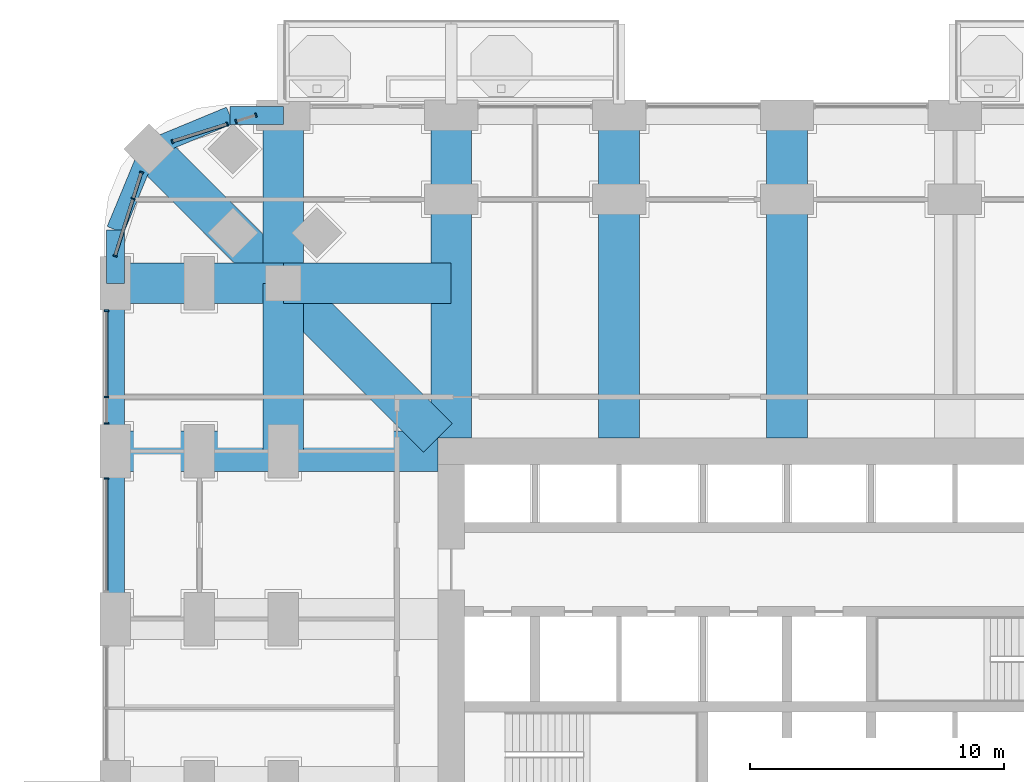
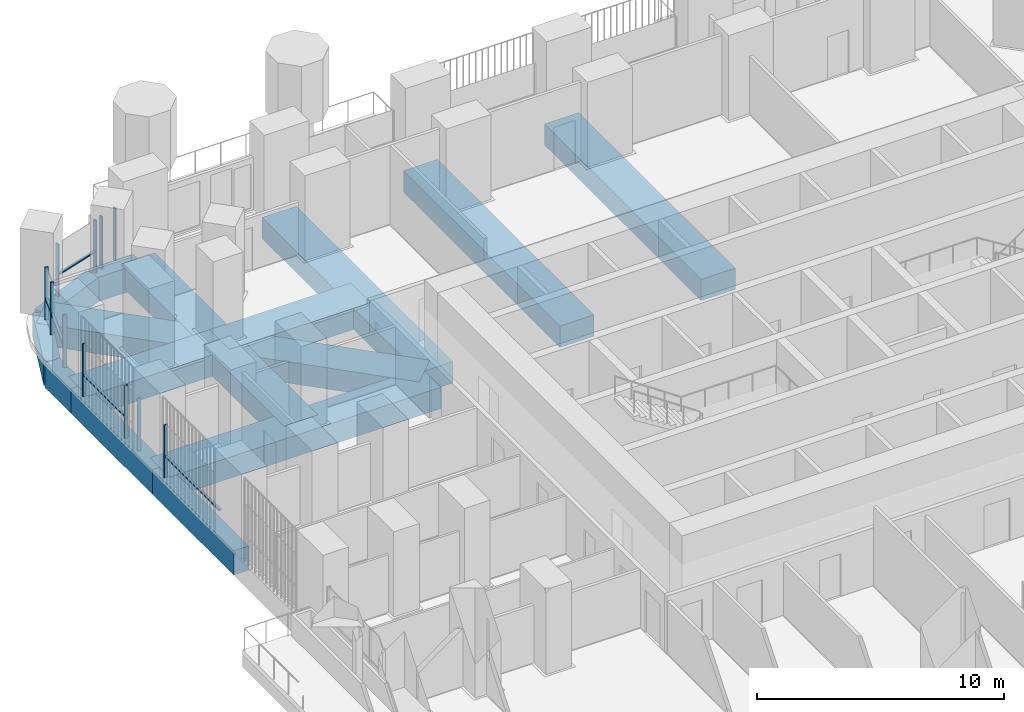
# One storey, part 7 of 27: 16 beams, 16 members, 5 elements without a shape of their own.
"""IFC4 building model written with IfcOpenShell, lengths in metres."""

from ifc_helpers import new_model, si_unit, direction, frame, origin, origin_2d, place, context, subcontext, project, spatial, rectangle, extrude, material, material_profile, profile_set, type_object, element, aggregate, save


model = new_model("IFC4")

# Units and contexts
model_context = context("Model", 3, precision=1e-05, world=origin(), true_north=direction((0.0, 1.0)))
body_context = subcontext(model_context, "Body", "Model", "MODEL_VIEW")
ifc_project = project(units=[si_unit("LENGTHUNIT", "METRE"), si_unit("AREAUNIT", "SQUARE_METRE"), si_unit("VOLUMEUNIT", "CUBIC_METRE"), si_unit("PLANEANGLEUNIT", "RADIAN"), si_unit("MASSUNIT", "GRAM", prefix="KILO")], contexts=[model_context])

# Site, building, storey
site_placement = place(None, origin())
site = spatial("IfcSite", under=ifc_project, at=site_placement, CompositionType="ELEMENT")
building_placement = place(site_placement, origin())
building = spatial("IfcBuilding", under=site, at=building_placement, Name="Cobogo Forest Laboratory Tower", CompositionType="ELEMENT")
storey_placement = place(building_placement, frame((0.0, 0.0, 63.300048828125)))
storey = spatial("IfcBuildingStorey", under=building, at=storey_placement, Name="L14", CompositionType="ELEMENT", Elevation=63.300048828125)

# Beams
ifc_material_1 = material(Name="Concrete HA-50 (C50/60)", Category="concrete")
ifc_material_profile_1 = material_profile(ifc_material_1, rectangle(XDim=1.60009765625, YDim=1.050048828125, at=origin_2d()), Name="RC 1600x1050")
ifc_profile_set_1 = profile_set([ifc_material_profile_1], Name="Concrete HA-50 (C50/60)")
beam_type_1 = type_object("IfcBeamType", Name="Laboratory floor wide beam 1600x1050", PredefinedType="BEAM", material=ifc_profile_set_1)
for number, where, z_axis, x_axis, name in (
    (1, (13.199951171875, 33.52490234375, -0.824951171875), (0.0, 1.0, 0.0), (-1.0, 0.0, 0.0), "RB8 R-3-N L14"),
    (2, (19.800048828125, 33.52490234375, -0.824951171875), (0.0, 1.0, 0.0), (-1.0, 0.0, 0.0), "RB8 R-4-N L14"),
    (3, (26.39990234375, 33.52490234375, -0.824951171875), (0.0, 1.0, 0.0), (-1.0, 0.0, 0.0), "RB8 R-5-N L14"),
    (4, (12.675048828125, 33.0, -0.824951171875), (-1.0, 0.0, 0.0), (0.0, -1.0, 0.0), "RB8 R-F-W L14"),
):
    element("IfcBeam", number, at=place(storey_placement, frame(where, z_axis=z_axis, x_axis=x_axis)), inside=storey, type_object=beam_type_1, Name=name, PredefinedType="BEAM", context=body_context, shape_type="SweptSolid", body=[
        extrude(rectangle(XDim=1.60009765625, YDim=1.050048828125, at=origin_2d()), origin(), (0.0, 0.0, 1.0), 12.675048828125),
    ])
beam_1_placement = place(storey_placement, frame((6.60009765625, 46.199951171875, -0.824951171875), z_axis=(0.0, -1.0, 0.0), x_axis=(1.0, 0.0, 0.0)))
element("IfcBeam", 5, at=beam_1_placement, inside=storey, type_object=beam_type_1, Name="RB8 G-NW-XF L14", PredefinedType="BEAM", context=body_context, shape_type="SweptSolid", body=[
    extrude(rectangle(XDim=1.60009765625, YDim=1.050048828125, at=origin_2d()), origin(), (0.0, 0.0, 1.0), 6.599853515625),
])
for number, where, z_axis, x_axis, name in (
    (6, (6.60009765625, 39.60009765625, -0.824951171875), (0.0, -1.0, 0.0), (1.0, 0.0, 0.0), "RB8 G-NW-XC L14"),
    (7, (0.0, 39.60009765625, -0.824951171875), (1.0, 0.0, 0.0), (0.0, 1.0, 0.0), "RB8 G-NW-YF L14"),
):
    element("IfcBeam", number, at=place(storey_placement, frame(where, z_axis=z_axis, x_axis=x_axis)), inside=storey, type_object=beam_type_1, Name=name, PredefinedType="BEAM", context=body_context, shape_type="SweptSolid", body=[
        extrude(rectangle(XDim=1.60009765625, YDim=1.050048828125, at=origin_2d()), origin(), (0.0, 0.0, 1.0), 6.60009765625),
    ])
beam_2_placement = place(storey_placement, frame((6.60009765625, 39.60009765625, -0.824951171875), z_axis=(1.0, 0.0, 0.0), x_axis=(0.0, 1.0, 0.0)))
element("IfcBeam", 8, at=beam_2_placement, inside=storey, type_object=beam_type_1, Name="RB8 G-NW-YC L14", PredefinedType="BEAM", context=body_context, shape_type="SweptSolid", body=[
    extrude(rectangle(XDim=1.60009765625, YDim=1.050048828125, at=origin_2d()), origin(), (0.0, 0.0, 1.0), 6.599853515625),
])
beam_3_placement = place(storey_placement, frame((1.318115234375, 44.882080078125, -0.824951171875), z_axis=(0.707106781187, -0.707106781187, 0.0), x_axis=(0.707106781187, 0.707106781187, 0.0)))
element("IfcBeam", 9, at=beam_3_placement, inside=storey, type_object=beam_type_1, Name="RB8 G-NW-D1 L14", PredefinedType="BEAM", context=body_context, shape_type="SweptSolid", body=[
    extrude(rectangle(XDim=1.60009765625, YDim=1.050048828125, at=origin_2d()), origin(), (0.0, 0.0, 1.0), 7.469970703125),
])
beam_4_placement = place(storey_placement, frame((6.60009765625, 39.60009765625, -0.824951171875), z_axis=(0.707092572697, -0.70712098939, 0.0), x_axis=(0.70712098939, 0.707092572697, 0.0)))
element("IfcBeam", 10, at=beam_4_placement, inside=storey, type_object=beam_type_1, Name="RB8 G-NW-D2 L14", PredefinedType="BEAM", context=body_context, shape_type="SweptSolid", body=[
    extrude(rectangle(XDim=1.60009765625, YDim=1.050048828125, at=origin_2d()), origin(), (0.0, 0.0, 1.0), 8.591552734375),
])

# Curtain wall, members
ifc_material_2 = material(Name="Aluminium curtain wall", Category="aluminium")
curtain_wall_type = type_object("IfcCurtainWallType", Name="CW-1 unitised curtain wall, clear glazing, laboratory floors zones A and B", PredefinedType="USERDEFINED", material=ifc_material_2)
curtain_wall_1_placement = place(storey_placement, origin())
curtain_wall_1 = element("IfcCurtainWall", 11, at=curtain_wall_1_placement, inside=storey, type_object=curtain_wall_type, Name="Curtain wall 24 L14", ObjectType="UNITISED CURTAIN WALL", PredefinedType="USERDEFINED")
ifc_material_3 = material(Name="Aluminium mullion", Category="aluminium")
ifc_material_profile_2 = material_profile(ifc_material_3, rectangle(XDim=0.06005859375, YDim=0.159912109375, at=origin_2d()), Name="AL 60x160")
ifc_profile_set_2 = profile_set([ifc_material_profile_2], Name="Aluminium mullion")
member_type_1 = type_object("IfcMemberType", Name="MU-1 aluminium mullion 60x160", PredefinedType="MULLION", material=ifc_profile_set_2)
member_1_placement = place(storey_placement, frame((5.521484375, 46.20947265625, 0.0), z_axis=(0.0, 0.0, 1.0), x_axis=(-0.953581504428, -0.301135043481, 0.0)))
member_1 = element("IfcMember", 12, at=member_1_placement, type_object=member_type_1, Name="CW-1 mullion 1", PredefinedType="MULLION", context=body_context, shape_type="SweptSolid", body=[
    extrude(rectangle(XDim=0.06005859375, YDim=0.159912109375, at=origin_2d()), origin(), (0.0, 0.0, 1.0), 2.599853515625),
])
member_2_placement = place(storey_placement, frame((4.74658203125, 45.96484375, 0.0), z_axis=(0.0, 0.0, 1.0), x_axis=(-0.953581504428, -0.301135043481, 0.0)))
member_2 = element("IfcMember", 13, at=member_2_placement, type_object=member_type_1, Name="CW-1 mullion 2", PredefinedType="MULLION", context=body_context, shape_type="SweptSolid", body=[
    extrude(rectangle(XDim=0.06005859375, YDim=0.159912109375, at=origin_2d()), origin(), (0.0, 0.0, 1.0), 2.599853515625),
])
aggregate(curtain_wall_1, [member_1, member_2])

curtain_wall_2_placement = place(storey_placement, origin())
curtain_wall_2 = element("IfcCurtainWall", 14, at=curtain_wall_2_placement, inside=storey, type_object=curtain_wall_type, Name="Curtain wall 25 L14", ObjectType="UNITISED CURTAIN WALL", PredefinedType="USERDEFINED")
member_3_placement = place(storey_placement, frame((4.39697265625, 45.854248046875, 0.0), z_axis=(0.0, 0.0, 1.0), x_axis=(-0.953581409645, -0.301135343623, 0.0)))
member_3 = element("IfcMember", 15, at=member_3_placement, type_object=member_type_1, Name="CW-1 mullion 1", PredefinedType="MULLION", context=body_context, shape_type="SweptSolid", body=[
    extrude(rectangle(XDim=0.06005859375, YDim=0.159912109375, at=origin_2d()), origin(), (0.0, 0.0, 1.0), 2.599853515625),
])
member_4_placement = place(storey_placement, frame((2.23876953125, 45.1728515625, 0.0), z_axis=(0.0, 0.0, 1.0), x_axis=(-0.953581409645, -0.301135343623, 0.0)))
member_4 = element("IfcMember", 16, at=member_4_placement, type_object=member_type_1, Name="CW-1 mullion 2", PredefinedType="MULLION", context=body_context, shape_type="SweptSolid", body=[
    extrude(rectangle(XDim=0.06005859375, YDim=0.159912109375, at=origin_2d()), origin(), (0.0, 0.0, 1.0), 2.599853515625),
])

curtain_wall_3_placement = place(storey_placement, origin())
curtain_wall_3 = element("IfcCurtainWall", 17, at=curtain_wall_3_placement, inside=storey, type_object=curtain_wall_type, Name="Curtain wall 26 L14", ObjectType="UNITISED CURTAIN WALL", PredefinedType="USERDEFINED")
member_5_placement = place(storey_placement, frame((1.02734375, 43.961181640625, 0.0), z_axis=(0.0, 0.0, 1.0), x_axis=(-0.30113535792, -0.95358140513, 0.0)))
member_5 = element("IfcMember", 18, at=member_5_placement, type_object=member_type_1, Name="CW-1 mullion 1", PredefinedType="MULLION", context=body_context, shape_type="SweptSolid", body=[
    extrude(rectangle(XDim=0.06005859375, YDim=0.159912109375, at=origin_2d()), origin(), (0.0, 0.0, 1.0), 2.599853515625),
])
member_6_placement = place(storey_placement, frame((0.69970703125, 42.924072265625, 0.0), z_axis=(0.0, 0.0, 1.0), x_axis=(-0.30113535792, -0.95358140513, 0.0)))
member_6 = element("IfcMember", 19, at=member_6_placement, type_object=member_type_1, Name="CW-1 mullion 2", PredefinedType="MULLION", context=body_context, shape_type="SweptSolid", body=[
    extrude(rectangle(XDim=0.06005859375, YDim=0.159912109375, at=origin_2d()), origin(), (0.0, 0.0, 1.0), 2.599853515625),
])
member_7_placement = place(storey_placement, frame((-0.00927734375, 40.6787109375, 0.0), z_axis=(0.0, 0.0, 1.0), x_axis=(-0.30113535792, -0.95358140513, 0.0)))
member_7 = element("IfcMember", 20, at=member_7_placement, type_object=member_type_1, Name="CW-1 mullion 3", PredefinedType="MULLION", context=body_context, shape_type="SweptSolid", body=[
    extrude(rectangle(XDim=0.06005859375, YDim=0.159912109375, at=origin_2d()), origin(), (0.0, 0.0, 1.0), 2.599853515625),
])

curtain_wall_4_placement = place(storey_placement, origin())
curtain_wall_4 = element("IfcCurtainWall", 21, at=curtain_wall_4_placement, inside=storey, type_object=curtain_wall_type, Name="Curtain wall 27 L14", ObjectType="UNITISED CURTAIN WALL", PredefinedType="USERDEFINED")
member_8_placement = place(storey_placement, frame((-0.35009765625, 38.52001953125, 0.0), z_axis=(0.0, 0.0, 1.0), x_axis=(0.0, -1.0, 0.0)))
member_8 = element("IfcMember", 22, at=member_8_placement, type_object=member_type_1, Name="CW-1 mullion 1", PredefinedType="MULLION", context=body_context, shape_type="SweptSolid", body=[
    extrude(rectangle(XDim=0.06005859375, YDim=0.159912109375, at=origin_2d()), origin(), (0.0, 0.0, 1.0), 2.599853515625),
])
member_9_placement = place(storey_placement, frame((-0.35009765625, 35.125, 0.0), z_axis=(0.0, 0.0, 1.0), x_axis=(0.0, -1.0, 0.0)))
member_9 = element("IfcMember", 23, at=member_9_placement, type_object=member_type_1, Name="CW-1 mullion 2", PredefinedType="MULLION", context=body_context, shape_type="SweptSolid", body=[
    extrude(rectangle(XDim=0.06005859375, YDim=0.159912109375, at=origin_2d()), origin(), (0.0, 0.0, 1.0), 2.599853515625),
])
member_10_placement = place(storey_placement, frame((-0.35009765625, 34.080078125, 0.0), z_axis=(0.0, 0.0, 1.0), x_axis=(0.0, -1.0, 0.0)))
member_10 = element("IfcMember", 24, at=member_10_placement, type_object=member_type_1, Name="CW-1 mullion 3", PredefinedType="MULLION", context=body_context, shape_type="SweptSolid", body=[
    extrude(rectangle(XDim=0.06005859375, YDim=0.159912109375, at=origin_2d()), origin(), (0.0, 0.0, 1.0), 2.599853515625),
])

# Curtain wall, member
curtain_wall_5_placement = place(storey_placement, origin())
curtain_wall_5 = element("IfcCurtainWall", 25, at=curtain_wall_5_placement, inside=storey, type_object=curtain_wall_type, Name="Curtain wall 28 L14", ObjectType="UNITISED CURTAIN WALL", PredefinedType="USERDEFINED")
member_11_placement = place(storey_placement, frame((-0.35009765625, 31.919921875, 0.0), z_axis=(0.0, 0.0, 1.0), x_axis=(0.0, -1.0, 0.0)))
member_11 = element("IfcMember", 26, at=member_11_placement, type_object=member_type_1, Name="CW-1 mullion 1", PredefinedType="MULLION", context=body_context, shape_type="SweptSolid", body=[
    extrude(rectangle(XDim=0.06005859375, YDim=0.159912109375, at=origin_2d()), origin(), (0.0, 0.0, 1.0), 2.599853515625),
])

# Beams
ifc_material_4 = material(Name="Concrete HA-40 (C40/50)", Category="concrete")
ifc_material_profile_3 = material_profile(ifc_material_4, rectangle(XDim=0.699951171875, YDim=1.199951171875, at=origin_2d()), Name="RC 700x1200")
ifc_profile_set_3 = profile_set([ifc_material_profile_3], Name="Concrete HA-40 (C40/50)")
beam_type_2 = type_object("IfcBeamType", Name="Perimeter edge beam 700x1200", PredefinedType="BEAM", material=ifc_profile_set_3)
for number, where, z_axis, x_axis, name in (
    (27, (0.0, 26.39990234375, -0.900146484375), (0.0, 1.0, 0.0), (-1.0, 0.0, 0.0), "EB1 E-W4 L14"),
    (28, (0.0, 33.0, -0.900146484375), (0.0, 1.0, 0.0), (-1.0, 0.0, 0.0), "EB1 E-W5 L14"),
):
    element("IfcBeam", number, at=place(storey_placement, frame(where, z_axis=z_axis, x_axis=x_axis)), inside=storey, type_object=beam_type_2, Name=name, PredefinedType="BEAM", context=body_context, shape_type="SweptSolid", body=[
        extrude(rectangle(XDim=0.699951171875, YDim=1.199951171875, at=origin_2d()), origin(), (0.0, 0.0, 1.0), 6.60009765625),
    ])
beam_5_placement = place(storey_placement, frame((6.60009765625, 46.199951171875, -0.900146484375), z_axis=(-1.0, 0.0, 0.0), x_axis=(0.0, -1.0, 0.0)))
element("IfcBeam", 29, at=beam_5_placement, inside=storey, type_object=beam_type_2, Name="EB1 E-NWN1 L14", PredefinedType="BEAM", context=body_context, shape_type="SweptSolid", body=[
    extrude(rectangle(XDim=0.699951171875, YDim=1.199951171875, at=origin_2d()), origin(), (0.0, 0.0, 1.0), 2.10009765625),
])
beam_6_placement = place(storey_placement, frame((4.5, 46.199951171875, -0.900146484375), z_axis=(-0.923890694089, -0.382656484822, 0.0), x_axis=(0.382656484822, -0.923890694089, 0.0)))
element("IfcBeam", 30, at=beam_6_placement, inside=storey, type_object=beam_type_2, Name="EB1 E-NWN2 L14", PredefinedType="BEAM", context=body_context, shape_type="SweptSolid", body=[
    extrude(rectangle(XDim=0.699951171875, YDim=1.199951171875, at=origin_2d()), origin(), (0.0, 0.0, 1.0), 3.444091796875),
])
beam_7_placement = place(storey_placement, frame((0.0, 39.60009765625, -0.900146484375), z_axis=(0.0, 1.0, 0.0), x_axis=(-1.0, 0.0, 0.0)))
element("IfcBeam", 31, at=beam_7_placement, inside=storey, type_object=beam_type_2, Name="EB1 E-NWW1 L14", PredefinedType="BEAM", context=body_context, shape_type="SweptSolid", body=[
    extrude(rectangle(XDim=0.699951171875, YDim=1.199951171875, at=origin_2d()), origin(), (0.0, 0.0, 1.0), 2.099853515625),
])
beam_8_placement = place(storey_placement, frame((0.0, 41.699951171875, -0.900146484375), z_axis=(0.382691928466, 0.923876013265, 0.0), x_axis=(-0.923876013265, 0.382691928466, 0.0)))
element("IfcBeam", 32, at=beam_8_placement, inside=storey, type_object=beam_type_2, Name="EB1 E-NWW2 L14", PredefinedType="BEAM", context=body_context, shape_type="SweptSolid", body=[
    extrude(rectangle(XDim=0.699951171875, YDim=1.199951171875, at=origin_2d()), origin(), (0.0, 0.0, 1.0), 3.4443359375),
])

# Member
ifc_material_5 = material(Name="Aluminium transom", Category="aluminium")
ifc_material_profile_4 = material_profile(ifc_material_5, rectangle(XDim=0.1201171875, YDim=0.06005859375, at=origin_2d()), Name="AL 60x120")
ifc_profile_set_4 = profile_set([ifc_material_profile_4], Name="Aluminium transom")
member_type_2 = type_object("IfcMemberType", Name="TR-1 aluminium transom 60x120", PredefinedType="USERDEFINED", material=ifc_profile_set_4)
member_12_placement = place(storey_placement, frame((4.368408203125, 45.84521484375, 1.050048828125), z_axis=(-0.953604433273, -0.301062426819, 0.0), x_axis=(0.301062426819, -0.953604433273, 0.0)))
member_12 = element("IfcMember", 33, at=member_12_placement, type_object=member_type_2, Name="CW-1 transom 1.1", ObjectType="TRANSOM", PredefinedType="USERDEFINED", context=body_context, shape_type="SweptSolid", body=[
    extrude(rectangle(XDim=0.1201171875, YDim=0.06005859375, at=origin_2d()), origin(), (0.0, 0.0, 1.0), 2.203369140625),
])

aggregate(curtain_wall_2, [member_3, member_4, member_12])

member_13_placement = place(storey_placement, frame((1.018310546875, 43.9326171875, 1.050048828125), z_axis=(-0.301222320394, -0.953553938535, 0.0), x_axis=(0.953553938535, -0.301222320394, 0.0)))
member_13 = element("IfcMember", 34, at=member_13_placement, type_object=member_type_2, Name="CW-1 transom 1.1", ObjectType="TRANSOM", PredefinedType="USERDEFINED", context=body_context, shape_type="SweptSolid", body=[
    extrude(rectangle(XDim=0.1201171875, YDim=0.06005859375, at=origin_2d()), origin(), (0.0, 0.0, 1.0), 1.02783203125),
])

member_14_placement = place(storey_placement, frame((0.690673828125, 42.8955078125, 1.050048828125), z_axis=(-0.301090633022, -0.953595527835, 0.0), x_axis=(0.953595527835, -0.301090633022, 0.0)))
member_14 = element("IfcMember", 35, at=member_14_placement, type_object=member_type_2, Name="CW-1 transom 2.1", ObjectType="TRANSOM", PredefinedType="USERDEFINED", context=body_context, shape_type="SweptSolid", body=[
    extrude(rectangle(XDim=0.1201171875, YDim=0.06005859375, at=origin_2d()), origin(), (0.0, 0.0, 1.0), 2.294677734375),
])

aggregate(curtain_wall_3, [member_5, member_6, member_7, member_13, member_14])

member_15_placement = place(storey_placement, frame((-0.35009765625, 38.489990234375, 1.050048828125), z_axis=(0.0, -1.0, 0.0), x_axis=(1.0, 0.0, 0.0)))
member_15 = element("IfcMember", 36, at=member_15_placement, type_object=member_type_2, Name="CW-1 transom 1.1", ObjectType="TRANSOM", PredefinedType="USERDEFINED", context=body_context, shape_type="SweptSolid", body=[
    extrude(rectangle(XDim=0.1201171875, YDim=0.06005859375, at=origin_2d()), origin(), (0.0, 0.0, 1.0), 3.3349609375),
])

aggregate(curtain_wall_4, [member_8, member_9, member_10, member_15])

member_16_placement = place(storey_placement, frame((-0.35009765625, 31.889892578125, 1.050048828125), z_axis=(0.0, -1.0, 0.0), x_axis=(1.0, 0.0, 0.0)))
member_16 = element("IfcMember", 37, at=member_16_placement, type_object=member_type_2, Name="CW-1 transom 1.1", ObjectType="TRANSOM", PredefinedType="USERDEFINED", context=body_context, shape_type="SweptSolid", body=[
    extrude(rectangle(XDim=0.1201171875, YDim=0.06005859375, at=origin_2d()), origin(), (0.0, 0.0, 1.0), 4.3798828125),
])

aggregate(curtain_wall_5, [member_11, member_16])

save(model, "model.ifc")
